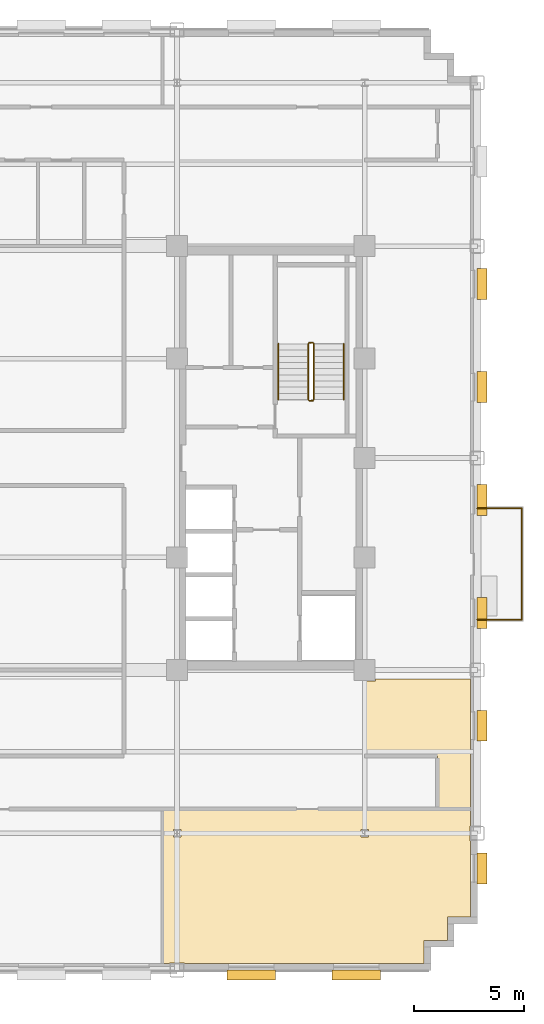
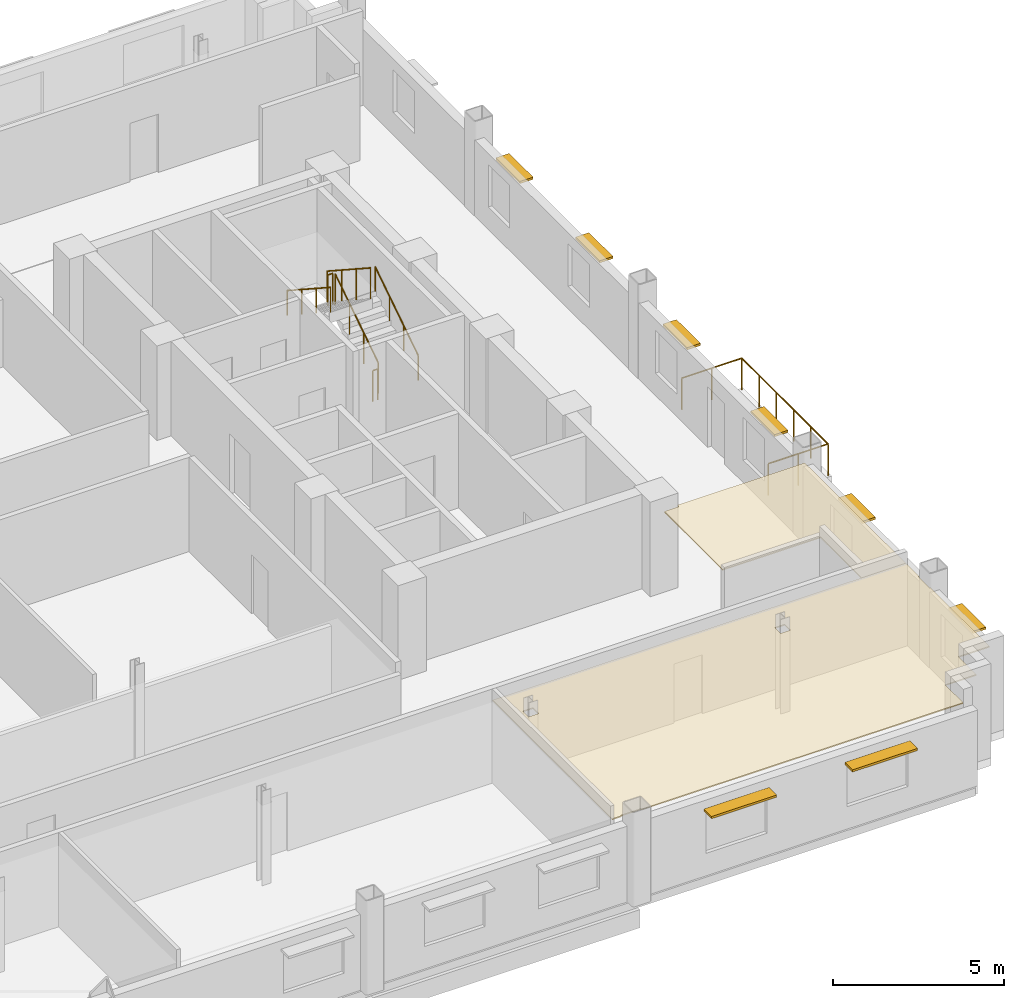
# One storey, part 13 of 14: 8 shading devices, 7 railings, 2 coverings.
"""IFC4 building model written with IfcOpenShell, lengths in metres."""

import ifcopenshell
import ifcopenshell.guid

model = None  # the IFC model being written
_history = None  # IfcOwnerHistory: only IFC2X3 demands one
_inside = {}  # id of a spatial element -> (the spatial element, [elements in it])
_under = {}  # id of a project, library or spatial element -> (it, [spatial elements below it])
_declared = {}  # id of a project -> (the project, [libraries it declares])
_typed = {}  # id of a type object -> (the type object, [elements of that type])
_made_of = {}  # id of a material, layer set ... -> (it, [elements and type objects made of it])


def new_model(schema):
    """Start an empty IFC model of exactly this schema.

    Asked for "IFC4X3", IfcOpenShell would pick the latest addendum, in which some entities
    have other attributes; the version numbers below select the first issue.
    IFC2X3 requires an IfcOwnerHistory on every rooted entity: one is made here for all.
    """
    global model, _history
    if schema == "IFC4X3":
        model = ifcopenshell.file(schema_version=(4, 3, 0, 0))
    else:
        model = ifcopenshell.file(schema=schema)
    _inside.clear()
    _under.clear()
    _declared.clear()
    _typed.clear()
    _made_of.clear()
    _history = None
    if model.schema == "IFC2X3":
        org = make("IfcOrganization", Name="unknown")
        user = make(
            "IfcPersonAndOrganization",
            ThePerson=make("IfcPerson", FamilyName="unknown"),
            TheOrganization=org,
        )
        app = make(
            "IfcApplication",
            ApplicationDeveloper=org,
            Version="unknown",
            ApplicationFullName="unknown",
            ApplicationIdentifier="unknown",
        )
        _history = make(
            "IfcOwnerHistory",
            OwningUser=user,
            OwningApplication=app,
            ChangeAction="ADDED",
            CreationDate=0,
        )
    return model


def make(cls, **values):
    """One entity of the class cls with the attributes given. An attribute that is None is left unset."""
    return model.create_entity(
        cls, **{name: value for name, value in values.items() if value is not None}
    )


def rooted(cls, **values):
    """An entity with a GlobalId (a new one), such as an element, a storey or a relation."""
    return make(cls, GlobalId=ifcopenshell.guid.new(), OwnerHistory=_history, **values)


def si_unit(unit_type, name, prefix=None):
    """IfcSIUnit, for example si_unit("LENGTHUNIT", "METRE", prefix="MILLI")."""
    return make("IfcSIUnit", UnitType=unit_type, Prefix=prefix, Name=name)


def assignment(units):
    """IfcUnitAssignment: the units of a project."""
    return None if units is None else make("IfcUnitAssignment", Units=units)


def point(xyz):
    """IfcCartesianPoint."""
    return None if xyz is None else make("IfcCartesianPoint", Coordinates=xyz)


def direction(xyz):
    """IfcDirection."""
    return None if xyz is None else make("IfcDirection", DirectionRatios=xyz)


def frame(location, z_axis=None, x_axis=None):
    """IfcAxis2Placement3D, a coordinate frame: its origin and axes. An axis left out is left unset."""
    return make(
        "IfcAxis2Placement3D",
        Location=point(location),
        Axis=direction(z_axis),
        RefDirection=direction(x_axis),
    )


def frame_2d(location, x_axis=None):
    """IfcAxis2Placement2D, a coordinate frame in the plane: its origin and x axis."""
    return make(
        "IfcAxis2Placement2D", Location=point(location), RefDirection=direction(x_axis)
    )


def origin():
    """The frame at (0, 0, 0) with its axes left unset."""
    return frame((0.0, 0.0, 0.0))


def origin_2d():
    """The frame at (0, 0) in the plane with its x axis left unset."""
    return frame_2d((0.0, 0.0))


def place(relative_to, where):
    """IfcLocalPlacement: puts the frame where relative to a parent placement (None: the world)."""
    return make(
        "IfcLocalPlacement", PlacementRelTo=relative_to, RelativePlacement=where
    )


def context(
    kind, dimensions, precision=None, world=None, true_north=None, identifier=None
):
    """IfcGeometricRepresentationContext, for example the 3D "Model" context."""
    return make(
        "IfcGeometricRepresentationContext",
        ContextIdentifier=identifier,
        ContextType=kind,
        CoordinateSpaceDimension=dimensions,
        Precision=precision,
        WorldCoordinateSystem=world,
        TrueNorth=true_north,
    )


def subcontext(parent, identifier, kind, view, scale=None):
    """IfcGeometricRepresentationSubContext, for example "Body" below "Model"."""
    return make(
        "IfcGeometricRepresentationSubContext",
        ContextIdentifier=identifier,
        ContextType=kind,
        ParentContext=parent,
        TargetScale=scale,
        TargetView=view,
    )


def project(units=None, contexts=None):
    """IfcProject with its units and contexts."""
    return rooted(
        "IfcProject",
        Name="project",
        RepresentationContexts=contexts,
        UnitsInContext=assignment(units),
    )


def spatial(cls, under=None, at=None, **own):
    """A site, building, storey or space (cls), placed at a placement, below another one or the project."""
    s = rooted(cls, ObjectPlacement=at, **own)
    if under is not None:
        _under.setdefault(under.id(), (under, []))[1].append(s)
    return s


def polyline(points):
    """IfcPolyline through the points."""
    return make("IfcPolyline", Points=[point(p) for p in points])


def profile(cls, at=None, kind="AREA", **sizes):
    """A parametric profile (cls). Its sizes go by their IFC names, for example OverallWidth=200.0."""
    return make(cls, ProfileType=kind, Position=at, **sizes)


def rectangle(**sizes):
    """IfcRectangleProfileDef."""
    return profile("IfcRectangleProfileDef", **sizes)


def circle(**sizes):
    """IfcCircleProfileDef."""
    return profile("IfcCircleProfileDef", **sizes)


def outline(outer, holes=None, kind="AREA"):
    """IfcArbitraryClosedProfileDef: a profile drawn as a closed curve; with holes, ...WithVoids."""
    if holes is None:
        return make("IfcArbitraryClosedProfileDef", ProfileType=kind, OuterCurve=outer)
    return make(
        "IfcArbitraryProfileDefWithVoids",
        ProfileType=kind,
        OuterCurve=outer,
        InnerCurves=holes,
    )


def extrude(swept, where, along, depth):
    """IfcExtrudedAreaSolid: the profile swept, set in the frame where, extruded along a direction by depth."""
    return make(
        "IfcExtrudedAreaSolid",
        SweptArea=swept,
        Position=where,
        ExtrudedDirection=direction(along),
        Depth=depth,
    )


def shape(context_of_items, identifier, shape_type, items):
    """IfcShapeRepresentation: the items that make up one representation, for example the "Body"."""
    return make(
        "IfcShapeRepresentation",
        ContextOfItems=context_of_items,
        RepresentationIdentifier=identifier,
        RepresentationType=shape_type,
        Items=items,
    )


def source(mapping_origin, context_of_items, identifier, shape_type, items):
    """IfcRepresentationMap: a shape defined once, which mapped items show again and again."""
    return make(
        "IfcRepresentationMap",
        MappingOrigin=mapping_origin,
        MappedRepresentation=shape(context_of_items, identifier, shape_type, items),
    )


def transform(
    local_origin,
    x_axis=None,
    y_axis=None,
    z_axis=None,
    scale=None,
    scale2=None,
    scale3=None,
    uniform=True,
):
    """IfcCartesianTransformationOperator3D, or its non-uniform kind. x_axis, y_axis, z_axis: its Axis1, 2, 3."""
    if uniform:
        return make(
            "IfcCartesianTransformationOperator3D",
            Axis1=direction(x_axis),
            Axis2=direction(y_axis),
            LocalOrigin=point(local_origin),
            Scale=scale,
            Axis3=direction(z_axis),
        )
    return make(
        "IfcCartesianTransformationOperator3DnonUniform",
        Axis1=direction(x_axis),
        Axis2=direction(y_axis),
        LocalOrigin=point(local_origin),
        Scale=scale,
        Axis3=direction(z_axis),
        Scale2=scale2,
        Scale3=scale3,
    )


def mapped(mapping_source, mapping_target):
    """IfcMappedItem: shows the shape of a source again, moved by a transform."""
    return make(
        "IfcMappedItem", MappingSource=mapping_source, MappingTarget=mapping_target
    )


def material(Name=None, Category=None):
    """IfcMaterial."""
    return make("IfcMaterial", Name=Name, Category=Category)


def layer(
    of_material, thickness, ventilated=None, Name=None, Category=None, Priority=None
):
    """IfcMaterialLayer: one layer of a wall or slab, of a material (None: an air gap)."""
    return make(
        "IfcMaterialLayer",
        Material=of_material,
        LayerThickness=thickness,
        IsVentilated=ventilated,
        Name=Name,
        Category=Category,
        Priority=Priority,
    )


def layer_set(layers, Name=None):
    """IfcMaterialLayerSet."""
    return make("IfcMaterialLayerSet", MaterialLayers=layers, LayerSetName=Name)


def made_of(thing, what):
    """Note that an element or type object is made of a material, layer set ...; save() writes the relation."""
    if what is not None:
        _made_of.setdefault(what.id(), (what, []))[1].append(thing)
    return thing


def type_object(cls, material=None, **own):
    """A type object (cls), such as IfcWallType, which elements share."""
    return made_of(rooted(cls, **own), material)


def type_shapes(of_type, sources):
    """Give a type object the sources (RepresentationMaps) that its elements show as mapped items."""
    of_type.RepresentationMaps = sources


def element(
    cls,
    number,
    at=None,
    inside=None,
    cuts=None,
    type_object=None,
    material=None,
    context=None,
    identifier="Body",
    shape_type=None,
    held_by="IfcProductDefinitionShape",
    body=None,
    shapes=None,
    **own,
):
    """One element of the class cls, such as IfcWall. Its Tag is "e" and its number.

    at: its placement. inside: the storey or other place that contains it. cuts: it is an
    opening in that element (IfcRelVoidsElement). A single representation is given by context,
    identifier, shape_type and body (its items); several are given by shapes. held_by: the class
    of the entity that holds the representations. save() writes the other relations.
    """
    e = rooted(cls, Tag="e%d" % number, ObjectPlacement=at, **own)
    if body is not None:
        shapes = [shape(context, identifier, shape_type, body)]
    if shapes is not None:
        e.Representation = make(held_by, Representations=shapes)
    if inside is not None:
        _inside.setdefault(inside.id(), (inside, []))[1].append(e)
    if cuts is not None:
        rooted(
            "IfcRelVoidsElement", RelatingBuildingElement=cuts, RelatedOpeningElement=e
        )
    if type_object is not None:
        _typed.setdefault(type_object.id(), (type_object, []))[1].append(e)
    return made_of(e, material)


def aggregate(whole, parts):
    """IfcRelAggregates: a whole, such as a stair, and the parts it consists of."""
    return rooted("IfcRelAggregates", RelatingObject=whole, RelatedObjects=parts)


def save(model, path):
    """Write the relations noted so far, then the file.

    IfcRelAggregates (storeys below a building ...), IfcRelContainedInSpatialStructure (elements
    in a storey), IfcRelDefinesByType, IfcRelAssociatesMaterial and IfcRelDeclares: one each for
    every whole, place, type object, material and project.
    """
    for whole, parts in _under.values():
        aggregate(whole, parts)
    for where, things in _inside.values():
        rooted(
            "IfcRelContainedInSpatialStructure",
            RelatedElements=things,
            RelatingStructure=where,
        )
    for kind, things in _typed.values():
        rooted("IfcRelDefinesByType", RelatedObjects=things, RelatingType=kind)
    for what, things in _made_of.values():
        rooted("IfcRelAssociatesMaterial", RelatedObjects=things, RelatingMaterial=what)
    for by, libraries in _declared.values():
        rooted("IfcRelDeclares", RelatingContext=by, RelatedDefinitions=libraries)
    model.write(path)


model = new_model("IFC4")

# Units and contexts
model_context = context("Model", 3, precision=1e-05, world=origin(), true_north=direction((0.0, 1.0)))
body_context = subcontext(model_context, "Body", "Model", "MODEL_VIEW")
ifc_project = project(units=[si_unit("LENGTHUNIT", "METRE"), si_unit("AREAUNIT", "SQUARE_METRE"), si_unit("VOLUMEUNIT", "CUBIC_METRE"), si_unit("PLANEANGLEUNIT", "RADIAN"), si_unit("MASSUNIT", "GRAM", prefix="KILO")], contexts=[model_context])

# Site, building, storey
site_placement = place(None, origin())
site = spatial("IfcSite", under=ifc_project, at=site_placement, CompositionType="ELEMENT")
building_placement = place(site_placement, origin())
building = spatial("IfcBuilding", under=site, at=building_placement, Name="Nuvemarco Arch Tower", CompositionType="ELEMENT")
storey_placement = place(building_placement, frame((0.0, 0.0, 174.949951171875)))
storey = spatial("IfcBuildingStorey", under=building, at=storey_placement, Name="L46", CompositionType="ELEMENT", Elevation=174.949951171875)

# Coverings
ifc_material_1 = material(Name="Mineral acoustic ceiling tile")
ifc_layer = layer(ifc_material_1, 0.0400390625, Name="COV-ACOUSTIC-CLG")
ifc_layer_set = layer_set([ifc_layer], Name="Mineral acoustic ceiling tile")
covering_type = type_object("IfcCoveringType", Name="COV-ACOUSTIC-CLG", PredefinedType="CEILING", material=ifc_layer_set)
covering_1_placement = place(storey_placement, frame((0.0, 0.0, 2.85009765625)))
element("IfcCovering", 1, at=covering_1_placement, inside=storey, type_object=covering_type, Name="L46 suspended acoustic ceiling 2", PredefinedType="CEILING", context=body_context, shape_type="SweptSolid", body=[
    extrude(outline(polyline([(17.5, -10.090087890625), (17.989990234375, -10.090087890625), (17.989990234375, -10.0), (22.2900390625, -10.0), (22.2900390625, -15.89990234375), (20.800048828125, -15.89990234375), (20.800048828125, -13.5), (17.5, -13.5), (17.5, -10.090087890625)])), origin(), (0.0, 0.0, 1.0), 0.0400390625),
])
covering_2_placement = place(storey_placement, frame((0.0, 0.0, 2.85009765625)))
element("IfcCovering", 2, at=covering_2_placement, inside=storey, type_object=covering_type, Name="L46 suspended acoustic ceiling 6", PredefinedType="CEILING", context=body_context, shape_type="SweptSolid", body=[
    extrude(outline(polyline([(20.18994140625, -22.889892578125), (9.340087890625, -22.889892578125), (9.340087890625, -22.860107421875), (8.659912109375, -22.860107421875), (8.659912109375, -22.889892578125), (8.35009765625, -22.889892578125), (8.35009765625, -15.89990234375), (9.0, -15.89990234375), (20.800048828125, -15.89990234375), (22.2900390625, -15.89990234375), (22.2900390625, -16.659912109375), (22.260009765625, -16.659912109375), (22.260009765625, -17.340087890625), (22.2900390625, -17.340087890625), (22.2900390625, -20.7900390625), (21.239990234375, -20.7900390625), (21.239990234375, -21.840087890625), (20.18994140625, -21.840087890625), (20.18994140625, -22.889892578125)]), holes=[polyline([(9.169921875, -17.169921875), (9.169921875, -16.830078125), (8.830078125, -16.830078125), (8.830078125, -17.169921875), (9.169921875, -17.169921875)]), polyline([(17.669921875, -17.169921875), (17.669921875, -16.830078125), (17.330078125, -16.830078125), (17.330078125, -17.169921875), (17.669921875, -17.169921875)])]), origin(), (0.0, 0.0, 1.0), 0.0400390625),
])

# Railings
ifc_material_2 = material(Name="Brushed stainless steel handrail", Category="steel")
railing_type_1 = type_object("IfcRailingType", Name="RL-HANDRAIL-900", PredefinedType="HANDRAIL", material=ifc_material_2)
railing_1_placement = place(storey_placement, frame((16.550048828125, 2.64990234375, 0.1826171875)))
element("IfcRailing", 3, at=railing_1_placement, inside=storey, type_object=railing_type_1, Name="L46 ST-2 stair handrail 1", PredefinedType="HANDRAIL", context=body_context, shape_type="SweptSolid", body=[
    extrude(circle(Radius=0.02392578125, at=origin_2d()), frame((0.0, 0.0, 0.8759765625), z_axis=(0.0, 0.837786554691, 0.545997883492), x_axis=(-1.0, 0.0, 0.0)), (0.0, 0.0, 1.0), 3.008056640625),
    extrude(circle(Radius=0.02099609375, at=origin_2d()), origin(), (0.0, 0.0, 1.0), 0.851806640625),
    extrude(circle(Radius=0.02099609375, at=origin_2d()), frame((0.0, 0.840087890625, 0.54736328125)), (0.0, 0.0, 1.0), 0.851806640625),
    extrude(circle(Radius=0.02099609375, at=origin_2d()), frame((0.0, 1.679931640625, 1.094970703125)), (0.0, 0.0, 1.0), 0.851806640625),
    extrude(circle(Radius=0.02099609375, at=origin_2d()), frame((0.0, 2.52001953125, 1.642333984375)), (0.0, 0.0, 1.0), 0.851806640625),
])
railing_2_placement = place(storey_placement, frame((13.590087890625, 5.169921875, 2.007568359375)))
element("IfcRailing", 4, at=railing_2_placement, inside=storey, type_object=railing_type_1, Name="L46 ST-2 stair handrail 2", PredefinedType="HANDRAIL", context=body_context, shape_type="SweptSolid", body=[
    extrude(circle(Radius=0.02392578125, at=origin_2d()), frame((0.0, 0.0, 0.8759765625), z_axis=(0.0, -0.837749427056, 0.546054848405), x_axis=(1.0, 0.0, 0.0)), (0.0, 0.0, 1.0), 3.008056640625),
    extrude(circle(Radius=0.02099609375, at=origin_2d()), origin(), (0.0, 0.0, 1.0), 0.851806640625),
    extrude(circle(Radius=0.02099609375, at=origin_2d()), frame((0.0, -0.840087890625, 0.547607421875)), (0.0, 0.0, 1.0), 0.851806640625),
    extrude(circle(Radius=0.02099609375, at=origin_2d()), frame((0.0, -1.679931640625, 1.094970703125)), (0.0, 0.0, 1.0), 0.851806640625),
    extrude(circle(Radius=0.02099609375, at=origin_2d()), frame((0.0, -2.52001953125, 1.642578125)), (0.0, 0.0, 1.0), 0.851806640625),
])
ifc_material_3 = material(Name="Painted balustrade steel S355", Category="steel")
railing_type_2 = type_object("IfcRailingType", Name="RL-STAIR-GUARD", PredefinedType="GUARDRAIL", material=ifc_material_3)
railing_3_placement = place(storey_placement, frame((15.199951171875, 2.64990234375, 0.1826171875)))
element("IfcRailing", 5, at=railing_3_placement, inside=storey, type_object=railing_type_2, Name="L46 ST-2 stair guard 1", PredefinedType="GUARDRAIL", context=body_context, shape_type="SweptSolid", body=[
    extrude(circle(Radius=0.02392578125, at=origin_2d()), frame((0.0, 0.0, 1.09619140625), z_axis=(0.0, 0.837786554691, 0.545997883492), x_axis=(-1.0, 0.0, 0.0)), (0.0, 0.0, 1.0), 3.008056640625),
    extrude(circle(Radius=0.02099609375, at=origin_2d()), origin(), (0.0, 0.0, 1.0), 1.072021484375),
    extrude(circle(Radius=0.02099609375, at=origin_2d()), frame((0.0, 0.840087890625, 0.54736328125)), (0.0, 0.0, 1.0), 1.072021484375),
    extrude(circle(Radius=0.02099609375, at=origin_2d()), frame((0.0, 1.679931640625, 1.094970703125)), (0.0, 0.0, 1.0), 1.072021484375),
    extrude(circle(Radius=0.02099609375, at=origin_2d()), frame((0.0, 2.52001953125, 1.642333984375)), (0.0, 0.0, 1.0), 1.072021484375),
])
railing_4_placement = place(storey_placement, frame((15.14990234375, 5.219970703125, 1.824951171875)))
element("IfcRailing", 6, at=railing_4_placement, inside=storey, type_object=railing_type_2, Name="L46 ST-2 stair guard 2", PredefinedType="GUARDRAIL", context=body_context, shape_type="SweptSolid", body=[
    extrude(circle(Radius=0.02392578125, at=origin_2d()), frame((0.0, 0.0, 1.09619140625), z_axis=(-1.0, 0.0, 0.0), x_axis=(0.0, -1.0, 0.0)), (0.0, 0.0, 1.0), 0.159912109375),
    extrude(circle(Radius=0.02099609375, at=origin_2d()), origin(), (0.0, 0.0, 1.0), 1.072021484375),
    extrude(circle(Radius=0.02099609375, at=origin_2d()), frame((-0.159912109375, 0.0, 0.0)), (0.0, 0.0, 1.0), 1.072021484375),
])
railing_5_placement = place(storey_placement, frame((14.93994140625, 5.169921875, 2.007568359375)))
element("IfcRailing", 7, at=railing_5_placement, inside=storey, type_object=railing_type_2, Name="L46 ST-2 stair guard 3", PredefinedType="GUARDRAIL", context=body_context, shape_type="SweptSolid", body=[
    extrude(circle(Radius=0.02392578125, at=origin_2d()), frame((0.0, 0.0, 1.09619140625), z_axis=(0.0, -0.837749427056, 0.546054848405), x_axis=(1.0, 0.0, 0.0)), (0.0, 0.0, 1.0), 3.008056640625),
    extrude(circle(Radius=0.02099609375, at=origin_2d()), origin(), (0.0, 0.0, 1.0), 1.072021484375),
    extrude(circle(Radius=0.02099609375, at=origin_2d()), frame((0.0, -0.840087890625, 0.547607421875)), (0.0, 0.0, 1.0), 1.072021484375),
    extrude(circle(Radius=0.02099609375, at=origin_2d()), frame((0.0, -1.679931640625, 1.094970703125)), (0.0, 0.0, 1.0), 1.072021484375),
    extrude(circle(Radius=0.02099609375, at=origin_2d()), frame((0.0, -2.52001953125, 1.642578125)), (0.0, 0.0, 1.0), 1.072021484375),
])
railing_6_placement = place(storey_placement, frame((15.14990234375, 2.60009765625, 0.0)))
element("IfcRailing", 8, at=railing_6_placement, inside=storey, type_object=railing_type_2, Name="L46 ST-2 stair guard 4", PredefinedType="GUARDRAIL", context=body_context, shape_type="SweptSolid", body=[
    extrude(circle(Radius=0.02392578125, at=origin_2d()), frame((0.0, 0.0, 1.09619140625), z_axis=(-1.0, 0.0, 0.0), x_axis=(0.0, -1.0, 0.0)), (0.0, 0.0, 1.0), 0.159912109375),
    extrude(circle(Radius=0.02099609375, at=origin_2d()), origin(), (0.0, 0.0, 1.0), 1.072021484375),
    extrude(circle(Radius=0.02099609375, at=origin_2d()), frame((-0.159912109375, 0.0, 0.0)), (0.0, 0.0, 1.0), 1.072021484375),
])
ifc_material_4 = material(Name="Dark anodised balustrade steel S355", Category="steel")
railing_type_3 = type_object("IfcRailingType", Name="RL-TERR-GUARD", PredefinedType="BALUSTRADE", material=ifc_material_4)
railing_7_placement = place(storey_placement, frame((22.60009765625, -7.320068359375, 0.0)))
element("IfcRailing", 9, at=railing_7_placement, inside=storey, type_object=railing_type_3, Name="L46 tree balcony perimeter balustrade guard", PredefinedType="BALUSTRADE", context=body_context, shape_type="SweptSolid", body=[
    extrude(circle(Radius=0.02392578125, at=origin_2d()), frame((0.0, 0.0, 1.1259765625), z_axis=(1.0, 0.0, 0.0), x_axis=(0.0, 1.0, 0.0)), (0.0, 0.0, 1.0), 2.02001953125),
    extrude(circle(Radius=0.02392578125, at=origin_2d()), frame((2.02001953125, 0.0, 1.1259765625), z_axis=(0.0, 1.0, 0.0), x_axis=(-1.0, 0.0, 0.0)), (0.0, 0.0, 1.0), 5.0400390625),
    extrude(circle(Radius=0.02392578125, at=origin_2d()), frame((2.02001953125, 5.0400390625, 1.1259765625), z_axis=(-1.0, 0.0, 0.0), x_axis=(0.0, -1.0, 0.0)), (0.0, 0.0, 1.0), 2.02001953125),
    extrude(circle(Radius=0.02099609375, at=origin_2d()), origin(), (0.0, 0.0, 1.0), 1.101806640625),
    extrude(circle(Radius=0.02099609375, at=origin_2d()), frame((1.010009765625, 0.0, 0.0)), (0.0, 0.0, 1.0), 1.101806640625),
    extrude(circle(Radius=0.02099609375, at=origin_2d()), frame((2.02001953125, 0.0, 0.0)), (0.0, 0.0, 1.0), 1.101806640625),
    extrude(circle(Radius=0.02099609375, at=origin_2d()), frame((2.02001953125, 1.008056640625, 0.0)), (0.0, 0.0, 1.0), 1.101806640625),
    extrude(circle(Radius=0.02099609375, at=origin_2d()), frame((2.02001953125, 2.01611328125, 0.0)), (0.0, 0.0, 1.0), 1.101806640625),
    extrude(circle(Radius=0.02099609375, at=origin_2d()), frame((2.02001953125, 3.02392578125, 0.0)), (0.0, 0.0, 1.0), 1.101806640625),
    extrude(circle(Radius=0.02099609375, at=origin_2d()), frame((2.02001953125, 4.031982421875, 0.0)), (0.0, 0.0, 1.0), 1.101806640625),
    extrude(circle(Radius=0.02099609375, at=origin_2d()), frame((2.02001953125, 5.0400390625, 0.0)), (0.0, 0.0, 1.0), 1.101806640625),
    extrude(circle(Radius=0.02099609375, at=origin_2d()), frame((1.010009765625, 5.0400390625, 0.0)), (0.0, 0.0, 1.0), 1.101806640625),
    extrude(circle(Radius=0.02099609375, at=origin_2d()), frame((0.0, 5.0400390625, 0.0)), (0.0, 0.0, 1.0), 1.101806640625),
])

# Shading devices
ifc_material_5 = material(Name="Anodised aluminium 6063-T6", Category="aluminium")
shading_device_type_1 = type_object("IfcShadingDeviceType", Name="SHD-BRISE-SOLEIL", PredefinedType="USERDEFINED", material=ifc_material_5)
shared_shape_1 = source(origin(), body_context, "Body", "SweptSolid", [
    extrude(rectangle(XDim=2.199951171875, YDim=0.449951171875, at=origin_2d()), origin(), (0.0, 0.0, 1.0), 0.080078125),
])
type_shapes(shading_device_type_1, [shared_shape_1])
for number, where, z_axis, x_axis, name in (
    (10, (12.36669921875, -23.4150390625, 2.324951171875), (0.0, 0.0, 1.0), (1.0, 0.0, 0.0), "L46 horizontal brise-soleil sunshade"),
    (11, (17.122314453125, -23.4150390625, 2.324951171875), (0.0, 0.0, 1.0), (1.0, 0.0, 0.0), "L46 horizontal brise-soleil sunshade"),
):
    element("IfcShadingDevice", number, at=place(storey_placement, frame(where, z_axis=z_axis, x_axis=x_axis)), inside=storey, type_object=shading_device_type_1, Name=name, ObjectType="SUNSHADE", PredefinedType="USERDEFINED", context=body_context, shape_type="MappedRepresentation", body=[
        mapped(shared_shape_1, transform((0.0, 0.0, 0.0), scale=1.0)),
    ])
shading_device_type_2 = type_object("IfcShadingDeviceType", Name="SHD-BRISE-NARROW", PredefinedType="USERDEFINED", material=ifc_material_5)
shared_shape_2 = source(origin(), body_context, "Body", "SweptSolid", [
    extrude(rectangle(XDim=1.39990234375, YDim=0.449951171875, at=origin_2d()), origin(), (0.0, 0.0, 1.0), 0.080078125),
])
type_shapes(shading_device_type_2, [shared_shape_2])
for number, where, z_axis, x_axis, name in (
    (12, (22.81494140625, -18.587646484375, 2.324951171875), (0.0, 0.0, 1.0), (0.0, 1.0, 0.0), "L46 horizontal brise-soleil sunshade"),
    (13, (22.81494140625, -12.125, 2.324951171875), (0.0, 0.0, 1.0), (0.0, 1.0, 0.0), "L46 horizontal brise-soleil sunshade"),
    (14, (22.81494140625, -7.0126953125, 2.324951171875), (0.0, 0.0, 1.0), (0.0, 1.0, 0.0), "L46 horizontal brise-soleil sunshade"),
    (15, (22.81494140625, -1.89990234375, 2.324951171875), (0.0, 0.0, 1.0), (0.0, 1.0, 0.0), "L46 horizontal brise-soleil sunshade"),
    (16, (22.81494140625, 3.212646484375, 2.324951171875), (0.0, 0.0, 1.0), (0.0, 1.0, 0.0), "L46 horizontal brise-soleil sunshade"),
    (17, (22.81494140625, 7.875, 2.324951171875), (0.0, 0.0, 1.0), (0.0, 1.0, 0.0), "L46 horizontal brise-soleil sunshade"),
):
    element("IfcShadingDevice", number, at=place(storey_placement, frame(where, z_axis=z_axis, x_axis=x_axis)), inside=storey, type_object=shading_device_type_2, Name=name, ObjectType="SUNSHADE", PredefinedType="USERDEFINED", context=body_context, shape_type="MappedRepresentation", body=[
        mapped(shared_shape_2, transform((0.0, 0.0, 0.0), scale=1.0)),
    ])

save(model, "model.ifc")
